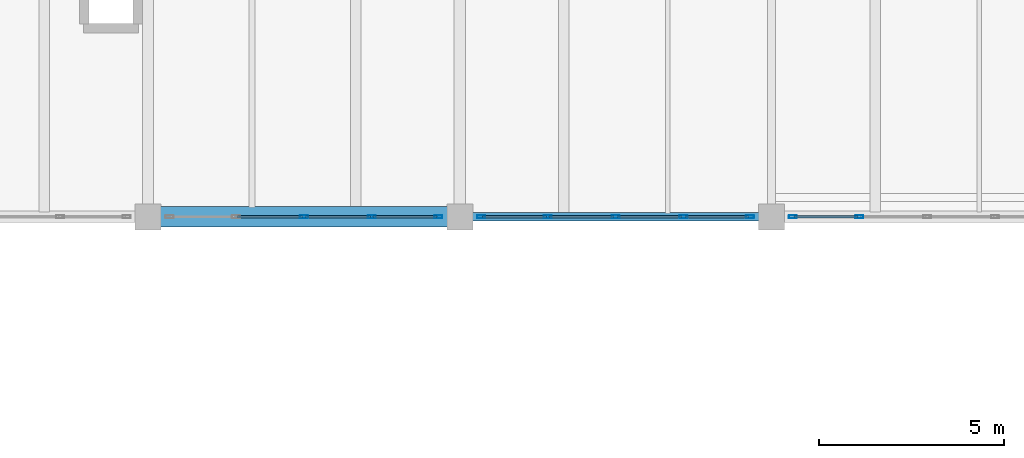
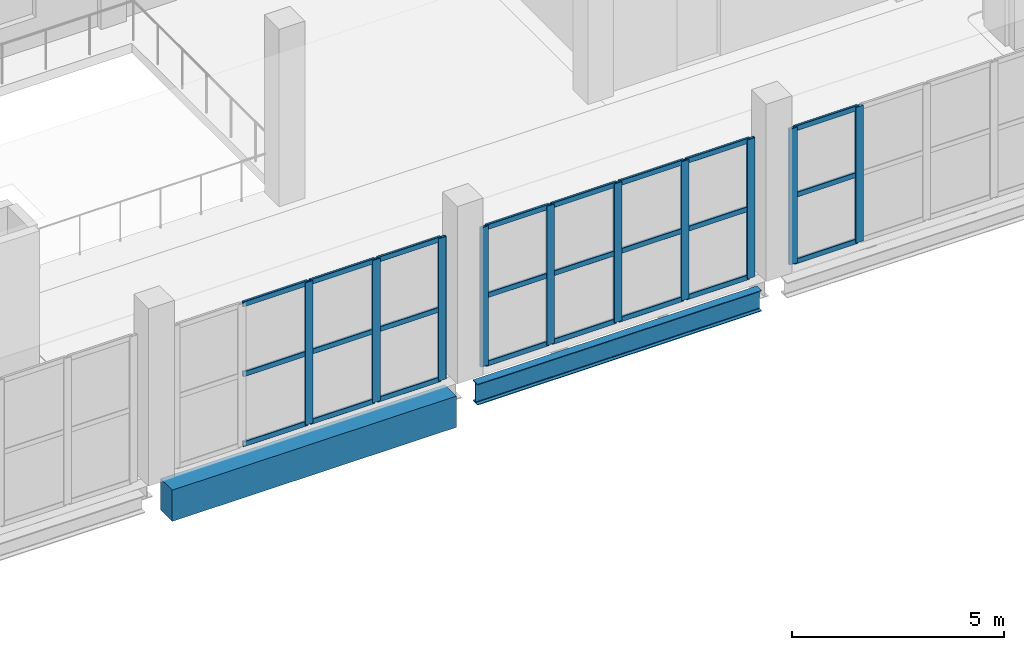
# One storey, part 28 of 73: 34 members, 2 beams, 3 elements without a shape of their own.
"""IFC4 building model written with IfcOpenShell, lengths in metres."""

from ifc_helpers import new_model, si_unit, direction, frame, origin, origin_2d, place, context, subcontext, project, spatial, rectangle, hollow_rectangle, i_section, extrude, material, layer, layer_set, material_profile, profile_set, type_object, element, aggregate, save


model = new_model("IFC4")

# Units and contexts
model_context = context("Model", 3, precision=1e-05, world=origin(), true_north=direction((0.0, 1.0)))
body_context = subcontext(model_context, "Body", "Model", "MODEL_VIEW")
ifc_project = project(units=[si_unit("LENGTHUNIT", "METRE"), si_unit("AREAUNIT", "SQUARE_METRE"), si_unit("VOLUMEUNIT", "CUBIC_METRE"), si_unit("PLANEANGLEUNIT", "RADIAN"), si_unit("MASSUNIT", "GRAM", prefix="KILO")], contexts=[model_context])

# Site, building, storey
site_placement = place(None, origin())
site = spatial("IfcSite", under=ifc_project, at=site_placement, CompositionType="ELEMENT")
building_placement = place(site_placement, origin())
building = spatial("IfcBuilding", under=site, at=building_placement, Name="Zulmaris Art Gallery", CompositionType="ELEMENT")
storey_placement = place(building_placement, frame((0.0, 0.0, 10.5)))
storey = spatial("IfcBuildingStorey", under=building, at=storey_placement, Name="L02", CompositionType="ELEMENT", Elevation=10.5)

# Beams
ifc_material_1 = material(Name="Steel S355J2", Category="steel")
ifc_material_profile_1 = material_profile(ifc_material_1, i_section(OverallWidth=0.219970703125, OverallDepth=0.60009765625, WebThickness=0.011962890625, FlangeThickness=0.01904296875, FilletRadius=0.02392578125, at=origin_2d()), Name="IPE 600")
ifc_profile_set_1 = profile_set([ifc_material_profile_1], Name="Steel S355J2")
beam_type_1 = type_object("IfcBeamType", Name="BEAM-BM07", PredefinedType="BEAM", material=ifc_profile_set_1)
beam_1_placement = place(storey_placement, frame((108.3349609375, 58.800048828125, -0.699951171875), z_axis=(1.0, 0.0, 0.0), x_axis=(0.0, 1.0, 0.0)))
element("IfcBeam", 1, at=beam_1_placement, inside=storey, type_object=beam_type_1, Name="L02 X-girder (108.0..116.4, y=58.8)", PredefinedType="BEAM", context=body_context, shape_type="SweptSolid", body=[
    extrude(i_section(OverallWidth=0.219970703125, OverallDepth=0.60009765625, WebThickness=0.011962890625, FlangeThickness=0.01904296875, FilletRadius=0.02392578125, at=origin_2d()), origin(), (0.0, 0.0, 1.0), 7.72998046875),
])
ifc_material_2 = material(Name="Concrete C40/50", Category="concrete")
ifc_material_profile_2 = material_profile(ifc_material_2, rectangle(XDim=0.550048828125, YDim=0.89990234375, at=origin_2d()), Name="RC 550x900")
ifc_profile_set_2 = profile_set([ifc_material_profile_2], Name="Concrete C40/50")
beam_type_2 = type_object("IfcBeamType", Name="BEAM-BM21", PredefinedType="BEAM", material=ifc_profile_set_2)
beam_2_placement = place(storey_placement, frame((99.93505859375, 58.800048828125, -0.85009765625), z_axis=(1.0, 0.0, 0.0), x_axis=(0.0, 1.0, 0.0)))
element("IfcBeam", 2, at=beam_2_placement, inside=storey, type_object=beam_type_2, Name="L02 X-girder (99.6..108.0, y=58.8)", PredefinedType="BEAM", context=body_context, shape_type="SweptSolid", body=[
    extrude(rectangle(XDim=0.550048828125, YDim=0.89990234375, at=origin_2d()), origin(), (0.0, 0.0, 1.0), 7.72998046875),
])

# Curtain wall, members
ifc_material_3 = material(Name="Unitised Low-E Gallery Curtain Wall", Category="aluminium")
ifc_layer = layer(ifc_material_3, 0.179931640625)
ifc_layer_set = layer_set([ifc_layer], Name="Unitised Low-E Gallery Curtain Wall")
curtain_wall_type = type_object("IfcCurtainWallType", Name="CW-CW01", PredefinedType="NOTDEFINED", material=ifc_layer_set)
curtain_wall_1_placement = place(storey_placement, origin())
curtain_wall_1 = element("IfcCurtainWall", 3, at=curtain_wall_1_placement, inside=storey, type_object=curtain_wall_type, Name="L02 curtain wall 105", PredefinedType="NOTDEFINED")
ifc_material_4 = material(Name="Anodised Bronze Aluminium", Category="aluminium")
ifc_material_profile_3 = material_profile(ifc_material_4, hollow_rectangle(XDim=0.074951171875, YDim=0.219970703125, WallThickness=0.0048828125, InnerFilletRadius=0.007568359375, OuterFilletRadius=0.012451171875, at=origin_2d()), Name="ALU 75x220x5")
ifc_profile_set_3 = profile_set([ifc_material_profile_3], Name="Anodised Bronze Aluminium")
member_type_1 = type_object("IfcMemberType", Name="CWMUL-02", PredefinedType="MULLION", material=ifc_profile_set_3)
member_1_placement = place(storey_placement, frame((103.800048828125, 58.800048828125, 0.0), z_axis=(0.0, 0.0, 1.0), x_axis=(0.0, 1.0, 0.0)))
member_1 = element("IfcMember", 4, at=member_1_placement, type_object=member_type_1, Name="CW01 mullion 3", PredefinedType="MULLION", context=body_context, shape_type="SweptSolid", body=[
    extrude(hollow_rectangle(XDim=0.074951171875, YDim=0.219970703125, WallThickness=0.0048828125, InnerFilletRadius=0.007568359375, OuterFilletRadius=0.012451171875, at=origin_2d()), origin(), (0.0, 0.0, 1.0), 4.10009765625),
])
member_2_placement = place(storey_placement, frame((105.6298828125, 58.800048828125, 0.0), z_axis=(0.0, 0.0, 1.0), x_axis=(0.0, 1.0, 0.0)))
member_2 = element("IfcMember", 5, at=member_2_placement, type_object=member_type_1, Name="CW01 mullion 4", PredefinedType="MULLION", context=body_context, shape_type="SweptSolid", body=[
    extrude(hollow_rectangle(XDim=0.074951171875, YDim=0.219970703125, WallThickness=0.0048828125, InnerFilletRadius=0.007568359375, OuterFilletRadius=0.012451171875, at=origin_2d()), origin(), (0.0, 0.0, 1.0), 4.10009765625),
])
member_3_placement = place(storey_placement, frame((107.422607421875, 58.800048828125, 0.0), z_axis=(0.0, 0.0, 1.0), x_axis=(0.0, 1.0, 0.0)))
member_3 = element("IfcMember", 6, at=member_3_placement, type_object=member_type_1, Name="CW01 mullion 5", PredefinedType="MULLION", context=body_context, shape_type="SweptSolid", body=[
    extrude(hollow_rectangle(XDim=0.074951171875, YDim=0.219970703125, WallThickness=0.0048828125, InnerFilletRadius=0.007568359375, OuterFilletRadius=0.012451171875, at=origin_2d()), origin(), (0.0, 0.0, 1.0), 4.10009765625),
])

curtain_wall_2_placement = place(storey_placement, origin())
curtain_wall_2 = element("IfcCurtainWall", 7, at=curtain_wall_2_placement, inside=storey, type_object=curtain_wall_type, Name="L02 curtain wall 106", PredefinedType="NOTDEFINED")
member_4_placement = place(storey_placement, frame((108.577392578125, 58.800048828125, 0.0), z_axis=(0.0, 0.0, 1.0), x_axis=(0.0, 1.0, 0.0)))
member_4 = element("IfcMember", 8, at=member_4_placement, type_object=member_type_1, Name="CW01 mullion 1", PredefinedType="MULLION", context=body_context, shape_type="SweptSolid", body=[
    extrude(hollow_rectangle(XDim=0.074951171875, YDim=0.219970703125, WallThickness=0.0048828125, InnerFilletRadius=0.007568359375, OuterFilletRadius=0.012451171875, at=origin_2d()), origin(), (0.0, 0.0, 1.0), 4.0),
])
member_5_placement = place(storey_placement, frame((110.3701171875, 58.800048828125, 0.0), z_axis=(0.0, 0.0, 1.0), x_axis=(0.0, 1.0, 0.0)))
member_5 = element("IfcMember", 9, at=member_5_placement, type_object=member_type_1, Name="CW01 mullion 2", PredefinedType="MULLION", context=body_context, shape_type="SweptSolid", body=[
    extrude(hollow_rectangle(XDim=0.074951171875, YDim=0.219970703125, WallThickness=0.0048828125, InnerFilletRadius=0.007568359375, OuterFilletRadius=0.012451171875, at=origin_2d()), origin(), (0.0, 0.0, 1.0), 4.0),
])
member_6_placement = place(storey_placement, frame((112.199951171875, 58.800048828125, 0.0), z_axis=(0.0, 0.0, 1.0), x_axis=(0.0, 1.0, 0.0)))
member_6 = element("IfcMember", 10, at=member_6_placement, type_object=member_type_1, Name="CW01 mullion 3", PredefinedType="MULLION", context=body_context, shape_type="SweptSolid", body=[
    extrude(hollow_rectangle(XDim=0.074951171875, YDim=0.219970703125, WallThickness=0.0048828125, InnerFilletRadius=0.007568359375, OuterFilletRadius=0.012451171875, at=origin_2d()), origin(), (0.0, 0.0, 1.0), 4.0),
])
member_7_placement = place(storey_placement, frame((114.030029296875, 58.800048828125, 0.0), z_axis=(0.0, 0.0, 1.0), x_axis=(0.0, 1.0, 0.0)))
member_7 = element("IfcMember", 11, at=member_7_placement, type_object=member_type_1, Name="CW01 mullion 4", PredefinedType="MULLION", context=body_context, shape_type="SweptSolid", body=[
    extrude(hollow_rectangle(XDim=0.074951171875, YDim=0.219970703125, WallThickness=0.0048828125, InnerFilletRadius=0.007568359375, OuterFilletRadius=0.012451171875, at=origin_2d()), origin(), (0.0, 0.0, 1.0), 4.0),
])
member_8_placement = place(storey_placement, frame((115.822509765625, 58.800048828125, 0.0), z_axis=(0.0, 0.0, 1.0), x_axis=(0.0, 1.0, 0.0)))
member_8 = element("IfcMember", 12, at=member_8_placement, type_object=member_type_1, Name="CW01 mullion 5", PredefinedType="MULLION", context=body_context, shape_type="SweptSolid", body=[
    extrude(hollow_rectangle(XDim=0.074951171875, YDim=0.219970703125, WallThickness=0.0048828125, InnerFilletRadius=0.007568359375, OuterFilletRadius=0.012451171875, at=origin_2d()), origin(), (0.0, 0.0, 1.0), 4.0),
])

curtain_wall_3_placement = place(storey_placement, origin())
curtain_wall_3 = element("IfcCurtainWall", 13, at=curtain_wall_3_placement, inside=storey, type_object=curtain_wall_type, Name="L02 curtain wall 107", PredefinedType="NOTDEFINED")
member_9_placement = place(storey_placement, frame((116.9775390625, 58.800048828125, 0.0), z_axis=(0.0, 0.0, 1.0), x_axis=(0.0, 1.0, 0.0)))
member_9 = element("IfcMember", 14, at=member_9_placement, type_object=member_type_1, Name="CW01 mullion 1", PredefinedType="MULLION", context=body_context, shape_type="SweptSolid", body=[
    extrude(hollow_rectangle(XDim=0.074951171875, YDim=0.219970703125, WallThickness=0.0048828125, InnerFilletRadius=0.007568359375, OuterFilletRadius=0.012451171875, at=origin_2d()), origin(), (0.0, 0.0, 1.0), 3.89990234375),
])
member_10_placement = place(storey_placement, frame((118.77001953125, 58.800048828125, 0.0), z_axis=(0.0, 0.0, 1.0), x_axis=(0.0, 1.0, 0.0)))
member_10 = element("IfcMember", 15, at=member_10_placement, type_object=member_type_1, Name="CW01 mullion 2", PredefinedType="MULLION", context=body_context, shape_type="SweptSolid", body=[
    extrude(hollow_rectangle(XDim=0.074951171875, YDim=0.219970703125, WallThickness=0.0048828125, InnerFilletRadius=0.007568359375, OuterFilletRadius=0.012451171875, at=origin_2d()), origin(), (0.0, 0.0, 1.0), 3.89990234375),
])

# Member
ifc_material_profile_4 = material_profile(ifc_material_4, hollow_rectangle(XDim=0.06494140625, YDim=0.14990234375, WallThickness=0.00390625, InnerFilletRadius=0.006103515625, OuterFilletRadius=0.010009765625, at=origin_2d()), Name="ALU 65x150x4")
ifc_profile_set_4 = profile_set([ifc_material_profile_4], Name="Anodised Bronze Aluminium")
member_type_2 = type_object("IfcMemberType", Name="CWTRN-01", PredefinedType="USERDEFINED", material=ifc_profile_set_4)
member_11_placement = place(storey_placement, frame((102.007568359375, 58.800048828125, 0.03759765625), z_axis=(1.0, 0.0, 0.0), x_axis=(0.0, 1.0, 0.0)))
member_11 = element("IfcMember", 16, at=member_11_placement, type_object=member_type_2, Name="CW01 transom 2.1", ObjectType="TRANSOM", PredefinedType="USERDEFINED", context=body_context, shape_type="SweptSolid", body=[
    extrude(hollow_rectangle(XDim=0.06494140625, YDim=0.14990234375, WallThickness=0.00390625, InnerFilletRadius=0.006103515625, OuterFilletRadius=0.010009765625, at=origin_2d()), origin(), (0.0, 0.0, 1.0), 1.7548828125),
])

member_12_placement = place(storey_placement, frame((102.007568359375, 58.800048828125, 2.050048828125), z_axis=(1.0, 0.0, 0.0), x_axis=(0.0, 1.0, 0.0)))
member_12 = element("IfcMember", 17, at=member_12_placement, type_object=member_type_2, Name="CW01 transom 2.2", ObjectType="TRANSOM", PredefinedType="USERDEFINED", context=body_context, shape_type="SweptSolid", body=[
    extrude(hollow_rectangle(XDim=0.06494140625, YDim=0.14990234375, WallThickness=0.00390625, InnerFilletRadius=0.006103515625, OuterFilletRadius=0.010009765625, at=origin_2d()), origin(), (0.0, 0.0, 1.0), 1.7548828125),
])

member_13_placement = place(storey_placement, frame((102.007568359375, 58.800048828125, 4.0625), z_axis=(1.0, 0.0, 0.0), x_axis=(0.0, 1.0, 0.0)))
member_13 = element("IfcMember", 18, at=member_13_placement, type_object=member_type_2, Name="CW01 transom 2.3", ObjectType="TRANSOM", PredefinedType="USERDEFINED", context=body_context, shape_type="SweptSolid", body=[
    extrude(hollow_rectangle(XDim=0.06494140625, YDim=0.14990234375, WallThickness=0.00390625, InnerFilletRadius=0.006103515625, OuterFilletRadius=0.010009765625, at=origin_2d()), origin(), (0.0, 0.0, 1.0), 1.7548828125),
])

member_14_placement = place(storey_placement, frame((103.83740234375, 58.800048828125, 0.03759765625), z_axis=(1.0, 0.0, 0.0), x_axis=(0.0, 1.0, 0.0)))
member_14 = element("IfcMember", 19, at=member_14_placement, type_object=member_type_2, Name="CW01 transom 3.1", ObjectType="TRANSOM", PredefinedType="USERDEFINED", context=body_context, shape_type="SweptSolid", body=[
    extrude(hollow_rectangle(XDim=0.06494140625, YDim=0.14990234375, WallThickness=0.00390625, InnerFilletRadius=0.006103515625, OuterFilletRadius=0.010009765625, at=origin_2d()), origin(), (0.0, 0.0, 1.0), 1.755126953125),
])

member_15_placement = place(storey_placement, frame((103.83740234375, 58.800048828125, 2.050048828125), z_axis=(1.0, 0.0, 0.0), x_axis=(0.0, 1.0, 0.0)))
member_15 = element("IfcMember", 20, at=member_15_placement, type_object=member_type_2, Name="CW01 transom 3.2", ObjectType="TRANSOM", PredefinedType="USERDEFINED", context=body_context, shape_type="SweptSolid", body=[
    extrude(hollow_rectangle(XDim=0.06494140625, YDim=0.14990234375, WallThickness=0.00390625, InnerFilletRadius=0.006103515625, OuterFilletRadius=0.010009765625, at=origin_2d()), origin(), (0.0, 0.0, 1.0), 1.755126953125),
])

member_16_placement = place(storey_placement, frame((103.83740234375, 58.800048828125, 4.0625), z_axis=(1.0, 0.0, 0.0), x_axis=(0.0, 1.0, 0.0)))
member_16 = element("IfcMember", 21, at=member_16_placement, type_object=member_type_2, Name="CW01 transom 3.3", ObjectType="TRANSOM", PredefinedType="USERDEFINED", context=body_context, shape_type="SweptSolid", body=[
    extrude(hollow_rectangle(XDim=0.06494140625, YDim=0.14990234375, WallThickness=0.00390625, InnerFilletRadius=0.006103515625, OuterFilletRadius=0.010009765625, at=origin_2d()), origin(), (0.0, 0.0, 1.0), 1.755126953125),
])

member_17_placement = place(storey_placement, frame((105.66748046875, 58.800048828125, 0.03759765625), z_axis=(1.0, 0.0, 0.0), x_axis=(0.0, 1.0, 0.0)))
member_17 = element("IfcMember", 22, at=member_17_placement, type_object=member_type_2, Name="CW01 transom 4.1", ObjectType="TRANSOM", PredefinedType="USERDEFINED", context=body_context, shape_type="SweptSolid", body=[
    extrude(hollow_rectangle(XDim=0.06494140625, YDim=0.14990234375, WallThickness=0.00390625, InnerFilletRadius=0.006103515625, OuterFilletRadius=0.010009765625, at=origin_2d()), origin(), (0.0, 0.0, 1.0), 1.717529296875),
])

member_18_placement = place(storey_placement, frame((105.66748046875, 58.800048828125, 2.050048828125), z_axis=(1.0, 0.0, 0.0), x_axis=(0.0, 1.0, 0.0)))
member_18 = element("IfcMember", 23, at=member_18_placement, type_object=member_type_2, Name="CW01 transom 4.2", ObjectType="TRANSOM", PredefinedType="USERDEFINED", context=body_context, shape_type="SweptSolid", body=[
    extrude(hollow_rectangle(XDim=0.06494140625, YDim=0.14990234375, WallThickness=0.00390625, InnerFilletRadius=0.006103515625, OuterFilletRadius=0.010009765625, at=origin_2d()), origin(), (0.0, 0.0, 1.0), 1.717529296875),
])

member_19_placement = place(storey_placement, frame((105.66748046875, 58.800048828125, 4.0625), z_axis=(1.0, 0.0, 0.0), x_axis=(0.0, 1.0, 0.0)))
member_19 = element("IfcMember", 24, at=member_19_placement, type_object=member_type_2, Name="CW01 transom 4.3", ObjectType="TRANSOM", PredefinedType="USERDEFINED", context=body_context, shape_type="SweptSolid", body=[
    extrude(hollow_rectangle(XDim=0.06494140625, YDim=0.14990234375, WallThickness=0.00390625, InnerFilletRadius=0.006103515625, OuterFilletRadius=0.010009765625, at=origin_2d()), origin(), (0.0, 0.0, 1.0), 1.717529296875),
])

aggregate(curtain_wall_1, [member_1, member_2, member_3, member_11, member_12, member_13, member_14, member_15, member_16, member_17, member_18, member_19])

member_20_placement = place(storey_placement, frame((108.614990234375, 58.800048828125, 0.03759765625), z_axis=(1.0, 0.0, 0.0), x_axis=(0.0, 1.0, 0.0)))
member_20 = element("IfcMember", 25, at=member_20_placement, type_object=member_type_2, Name="CW01 transom 1.1", ObjectType="TRANSOM", PredefinedType="USERDEFINED", context=body_context, shape_type="SweptSolid", body=[
    extrude(hollow_rectangle(XDim=0.06494140625, YDim=0.14990234375, WallThickness=0.00390625, InnerFilletRadius=0.006103515625, OuterFilletRadius=0.010009765625, at=origin_2d()), origin(), (0.0, 0.0, 1.0), 1.717529296875),
])

member_21_placement = place(storey_placement, frame((108.614990234375, 58.800048828125, 2.0), z_axis=(1.0, 0.0, 0.0), x_axis=(0.0, 1.0, 0.0)))
member_21 = element("IfcMember", 26, at=member_21_placement, type_object=member_type_2, Name="CW01 transom 1.2", ObjectType="TRANSOM", PredefinedType="USERDEFINED", context=body_context, shape_type="SweptSolid", body=[
    extrude(hollow_rectangle(XDim=0.06494140625, YDim=0.14990234375, WallThickness=0.00390625, InnerFilletRadius=0.006103515625, OuterFilletRadius=0.010009765625, at=origin_2d()), origin(), (0.0, 0.0, 1.0), 1.717529296875),
])

member_22_placement = place(storey_placement, frame((108.614990234375, 58.800048828125, 3.96240234375), z_axis=(1.0, 0.0, 0.0), x_axis=(0.0, 1.0, 0.0)))
member_22 = element("IfcMember", 27, at=member_22_placement, type_object=member_type_2, Name="CW01 transom 1.3", ObjectType="TRANSOM", PredefinedType="USERDEFINED", context=body_context, shape_type="SweptSolid", body=[
    extrude(hollow_rectangle(XDim=0.06494140625, YDim=0.14990234375, WallThickness=0.00390625, InnerFilletRadius=0.006103515625, OuterFilletRadius=0.010009765625, at=origin_2d()), origin(), (0.0, 0.0, 1.0), 1.717529296875),
])

member_23_placement = place(storey_placement, frame((110.407470703125, 58.800048828125, 0.03759765625), z_axis=(1.0, 0.0, 0.0), x_axis=(0.0, 1.0, 0.0)))
member_23 = element("IfcMember", 28, at=member_23_placement, type_object=member_type_2, Name="CW01 transom 2.1", ObjectType="TRANSOM", PredefinedType="USERDEFINED", context=body_context, shape_type="SweptSolid", body=[
    extrude(hollow_rectangle(XDim=0.06494140625, YDim=0.14990234375, WallThickness=0.00390625, InnerFilletRadius=0.006103515625, OuterFilletRadius=0.010009765625, at=origin_2d()), origin(), (0.0, 0.0, 1.0), 1.755126953125),
])

member_24_placement = place(storey_placement, frame((110.407470703125, 58.800048828125, 2.0), z_axis=(1.0, 0.0, 0.0), x_axis=(0.0, 1.0, 0.0)))
member_24 = element("IfcMember", 29, at=member_24_placement, type_object=member_type_2, Name="CW01 transom 2.2", ObjectType="TRANSOM", PredefinedType="USERDEFINED", context=body_context, shape_type="SweptSolid", body=[
    extrude(hollow_rectangle(XDim=0.06494140625, YDim=0.14990234375, WallThickness=0.00390625, InnerFilletRadius=0.006103515625, OuterFilletRadius=0.010009765625, at=origin_2d()), origin(), (0.0, 0.0, 1.0), 1.755126953125),
])

member_25_placement = place(storey_placement, frame((110.407470703125, 58.800048828125, 3.96240234375), z_axis=(1.0, 0.0, 0.0), x_axis=(0.0, 1.0, 0.0)))
member_25 = element("IfcMember", 30, at=member_25_placement, type_object=member_type_2, Name="CW01 transom 2.3", ObjectType="TRANSOM", PredefinedType="USERDEFINED", context=body_context, shape_type="SweptSolid", body=[
    extrude(hollow_rectangle(XDim=0.06494140625, YDim=0.14990234375, WallThickness=0.00390625, InnerFilletRadius=0.006103515625, OuterFilletRadius=0.010009765625, at=origin_2d()), origin(), (0.0, 0.0, 1.0), 1.755126953125),
])

member_26_placement = place(storey_placement, frame((112.237548828125, 58.800048828125, 0.03759765625), z_axis=(1.0, 0.0, 0.0), x_axis=(0.0, 1.0, 0.0)))
member_26 = element("IfcMember", 31, at=member_26_placement, type_object=member_type_2, Name="CW01 transom 3.1", ObjectType="TRANSOM", PredefinedType="USERDEFINED", context=body_context, shape_type="SweptSolid", body=[
    extrude(hollow_rectangle(XDim=0.06494140625, YDim=0.14990234375, WallThickness=0.00390625, InnerFilletRadius=0.006103515625, OuterFilletRadius=0.010009765625, at=origin_2d()), origin(), (0.0, 0.0, 1.0), 1.7548828125),
])

member_27_placement = place(storey_placement, frame((112.237548828125, 58.800048828125, 2.0), z_axis=(1.0, 0.0, 0.0), x_axis=(0.0, 1.0, 0.0)))
member_27 = element("IfcMember", 32, at=member_27_placement, type_object=member_type_2, Name="CW01 transom 3.2", ObjectType="TRANSOM", PredefinedType="USERDEFINED", context=body_context, shape_type="SweptSolid", body=[
    extrude(hollow_rectangle(XDim=0.06494140625, YDim=0.14990234375, WallThickness=0.00390625, InnerFilletRadius=0.006103515625, OuterFilletRadius=0.010009765625, at=origin_2d()), origin(), (0.0, 0.0, 1.0), 1.7548828125),
])

member_28_placement = place(storey_placement, frame((112.237548828125, 58.800048828125, 3.96240234375), z_axis=(1.0, 0.0, 0.0), x_axis=(0.0, 1.0, 0.0)))
member_28 = element("IfcMember", 33, at=member_28_placement, type_object=member_type_2, Name="CW01 transom 3.3", ObjectType="TRANSOM", PredefinedType="USERDEFINED", context=body_context, shape_type="SweptSolid", body=[
    extrude(hollow_rectangle(XDim=0.06494140625, YDim=0.14990234375, WallThickness=0.00390625, InnerFilletRadius=0.006103515625, OuterFilletRadius=0.010009765625, at=origin_2d()), origin(), (0.0, 0.0, 1.0), 1.7548828125),
])

member_29_placement = place(storey_placement, frame((114.0673828125, 58.800048828125, 0.03759765625), z_axis=(1.0, 0.0, 0.0), x_axis=(0.0, 1.0, 0.0)))
member_29 = element("IfcMember", 34, at=member_29_placement, type_object=member_type_2, Name="CW01 transom 4.1", ObjectType="TRANSOM", PredefinedType="USERDEFINED", context=body_context, shape_type="SweptSolid", body=[
    extrude(hollow_rectangle(XDim=0.06494140625, YDim=0.14990234375, WallThickness=0.00390625, InnerFilletRadius=0.006103515625, OuterFilletRadius=0.010009765625, at=origin_2d()), origin(), (0.0, 0.0, 1.0), 1.717529296875),
])

member_30_placement = place(storey_placement, frame((114.0673828125, 58.800048828125, 2.0), z_axis=(1.0, 0.0, 0.0), x_axis=(0.0, 1.0, 0.0)))
member_30 = element("IfcMember", 35, at=member_30_placement, type_object=member_type_2, Name="CW01 transom 4.2", ObjectType="TRANSOM", PredefinedType="USERDEFINED", context=body_context, shape_type="SweptSolid", body=[
    extrude(hollow_rectangle(XDim=0.06494140625, YDim=0.14990234375, WallThickness=0.00390625, InnerFilletRadius=0.006103515625, OuterFilletRadius=0.010009765625, at=origin_2d()), origin(), (0.0, 0.0, 1.0), 1.717529296875),
])

member_31_placement = place(storey_placement, frame((114.0673828125, 58.800048828125, 3.96240234375), z_axis=(1.0, 0.0, 0.0), x_axis=(0.0, 1.0, 0.0)))
member_31 = element("IfcMember", 36, at=member_31_placement, type_object=member_type_2, Name="CW01 transom 4.3", ObjectType="TRANSOM", PredefinedType="USERDEFINED", context=body_context, shape_type="SweptSolid", body=[
    extrude(hollow_rectangle(XDim=0.06494140625, YDim=0.14990234375, WallThickness=0.00390625, InnerFilletRadius=0.006103515625, OuterFilletRadius=0.010009765625, at=origin_2d()), origin(), (0.0, 0.0, 1.0), 1.717529296875),
])

aggregate(curtain_wall_2, [member_4, member_5, member_6, member_7, member_8, member_20, member_21, member_22, member_23, member_24, member_25, member_26, member_27, member_28, member_29, member_30, member_31])

member_32_placement = place(storey_placement, frame((117.014892578125, 58.800048828125, 0.03759765625), z_axis=(1.0, 0.0, 0.0), x_axis=(0.0, 1.0, 0.0)))
member_32 = element("IfcMember", 37, at=member_32_placement, type_object=member_type_2, Name="CW01 transom 1.1", ObjectType="TRANSOM", PredefinedType="USERDEFINED", context=body_context, shape_type="SweptSolid", body=[
    extrude(hollow_rectangle(XDim=0.06494140625, YDim=0.14990234375, WallThickness=0.00390625, InnerFilletRadius=0.006103515625, OuterFilletRadius=0.010009765625, at=origin_2d()), origin(), (0.0, 0.0, 1.0), 1.717529296875),
])

member_33_placement = place(storey_placement, frame((117.014892578125, 58.800048828125, 1.949951171875), z_axis=(1.0, 0.0, 0.0), x_axis=(0.0, 1.0, 0.0)))
member_33 = element("IfcMember", 38, at=member_33_placement, type_object=member_type_2, Name="CW01 transom 1.2", ObjectType="TRANSOM", PredefinedType="USERDEFINED", context=body_context, shape_type="SweptSolid", body=[
    extrude(hollow_rectangle(XDim=0.06494140625, YDim=0.14990234375, WallThickness=0.00390625, InnerFilletRadius=0.006103515625, OuterFilletRadius=0.010009765625, at=origin_2d()), origin(), (0.0, 0.0, 1.0), 1.717529296875),
])

member_34_placement = place(storey_placement, frame((117.014892578125, 58.800048828125, 3.862548828125), z_axis=(1.0, 0.0, 0.0), x_axis=(0.0, 1.0, 0.0)))
member_34 = element("IfcMember", 39, at=member_34_placement, type_object=member_type_2, Name="CW01 transom 1.3", ObjectType="TRANSOM", PredefinedType="USERDEFINED", context=body_context, shape_type="SweptSolid", body=[
    extrude(hollow_rectangle(XDim=0.06494140625, YDim=0.14990234375, WallThickness=0.00390625, InnerFilletRadius=0.006103515625, OuterFilletRadius=0.010009765625, at=origin_2d()), origin(), (0.0, 0.0, 1.0), 1.717529296875),
])

aggregate(curtain_wall_3, [member_9, member_10, member_32, member_33, member_34])

save(model, "model.ifc")
